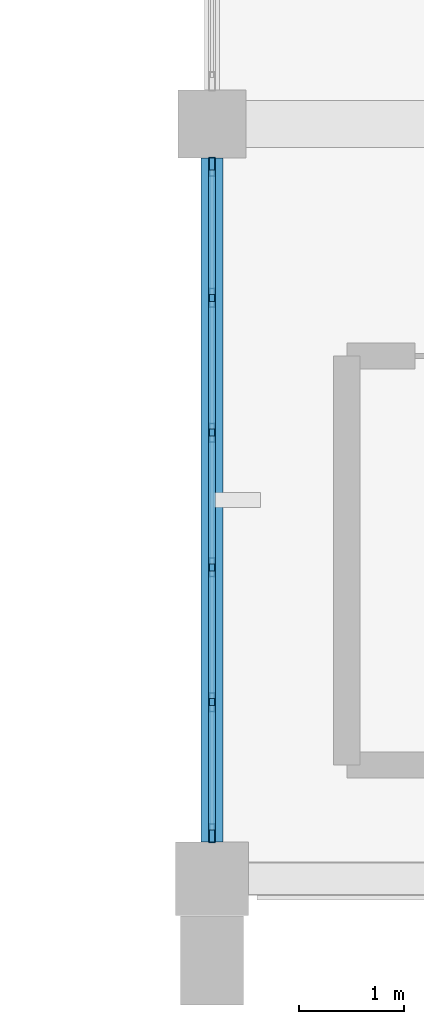
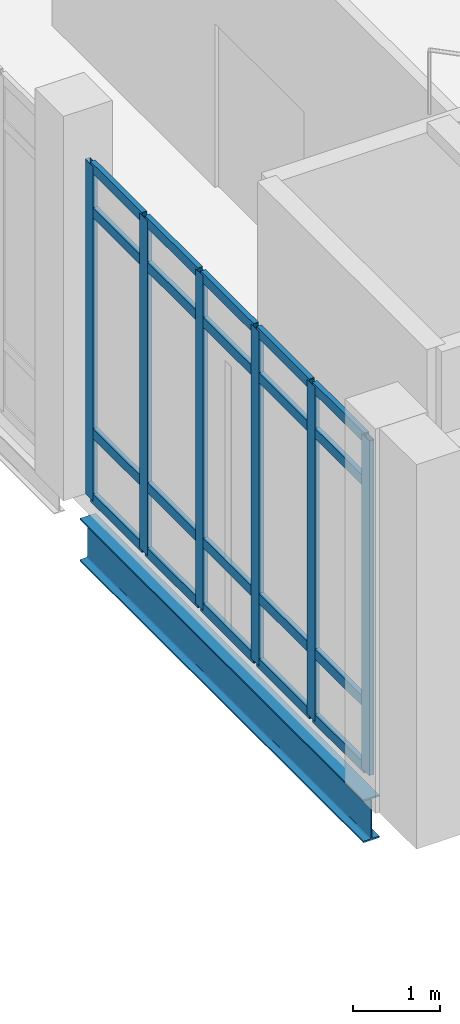
# One storey, part 26 of 110: 26 members, 1 beam, 1 element without a shape of its own.
"""IFC4 building model written with IfcOpenShell, lengths in metres."""

from ifc_helpers import new_model, si_unit, direction, frame, origin, origin_2d, place, context, subcontext, project, spatial, hollow_rectangle, i_section, extrude, material, material_profile, profile_set, type_object, element, aggregate, save


model = new_model("IFC4")

# Units and contexts
model_context = context("Model", 3, precision=1e-05, world=origin(), true_north=direction((0.0, 1.0)))
body_context = subcontext(model_context, "Body", "Model", "MODEL_VIEW")
ifc_project = project(units=[si_unit("LENGTHUNIT", "METRE"), si_unit("AREAUNIT", "SQUARE_METRE"), si_unit("VOLUMEUNIT", "CUBIC_METRE"), si_unit("PLANEANGLEUNIT", "RADIAN"), si_unit("MASSUNIT", "GRAM", prefix="KILO")], contexts=[model_context])

# Site, building, storey
site_placement = place(None, origin())
site = spatial("IfcSite", under=ifc_project, at=site_placement, CompositionType="ELEMENT")
building_placement = place(site_placement, origin())
building = spatial("IfcBuilding", under=site, at=building_placement, Name="Kalluvel Institute of Natural Sciences", CompositionType="ELEMENT")
storey_placement = place(building_placement, origin())
storey = spatial("IfcBuildingStorey", under=building, at=storey_placement, Name="L00", CompositionType="ELEMENT", Elevation=0.0)

# Beam
ifc_material_1 = material(Name="Steel E350 Grade 350", Category="steel")
ifc_material_profile_1 = material_profile(ifc_material_1, i_section(OverallWidth=0.2099609375, OverallDepth=0.60009765625, WebThickness=0.011962890625, FlangeThickness=0.020751953125, FilletRadius=0.02001953125, at=origin_2d()), Name="ISMB 600")
ifc_profile_set_1 = profile_set([ifc_material_profile_1], Name="Steel E350 Grade 350")
beam_type = type_object("IfcBeamType", Name="BM-ISMB600", PredefinedType="BEAM", material=ifc_profile_set_1)
beam_placement = place(storey_placement, frame((100.39990234375, 14.35009765625, -0.6201171875), z_axis=(0.0, 1.0, 0.0), x_axis=(-1.0, 0.0, 0.0)))
element("IfcBeam", 1, at=beam_placement, inside=storey, type_object=beam_type, Name="L00 girder GIR-L00-NS-X1004-Y140", PredefinedType="BEAM", context=body_context, shape_type="SweptSolid", body=[
    extrude(i_section(OverallWidth=0.2099609375, OverallDepth=0.60009765625, WebThickness=0.011962890625, FlangeThickness=0.020751953125, FilletRadius=0.02001953125, at=origin_2d()), origin(), (0.0, 0.0, 1.0), 6.52490234375),
])

# Curtain wall, members
ifc_material_2 = material(Name="Aluminium AW-6063 T6", Category="aluminium")
curtain_wall_type = type_object("IfcCurtainWallType", Name="CW-SPAV-45", PredefinedType="USERDEFINED", material=ifc_material_2)
curtain_wall_placement = place(storey_placement, origin())
curtain_wall = element("IfcCurtainWall", 2, at=curtain_wall_placement, inside=storey, type_object=curtain_wall_type, Name="L00 Gothic lancet curtain wall CWA-L00-X1004-Y144", ObjectType="UNITISED LANCET FACADE", PredefinedType="USERDEFINED")
ifc_material_profile_2 = material_profile(ifc_material_2, hollow_rectangle(XDim=0.06494140625, YDim=0.179931640625, WallThickness=0.00439453125, at=origin_2d()), Name="CWM 65x180")
ifc_profile_set_2 = profile_set([ifc_material_profile_2], Name="Aluminium AW-6063 T6")
member_type_1 = type_object("IfcMemberType", Name="CWM-65x180", PredefinedType="MULLION", material=ifc_profile_set_2)
member_1_placement = place(storey_placement, frame((100.39990234375, 14.4326171875, 0.0), z_axis=(0.0, 0.0, 1.0), x_axis=(-1.0, 0.0, 0.0)))
member_1 = element("IfcMember", 3, at=member_1_placement, type_object=member_type_1, Name="CW-10 mullion 1", PredefinedType="MULLION", context=body_context, shape_type="SweptSolid", body=[
    extrude(hollow_rectangle(XDim=0.06494140625, YDim=0.179931640625, WallThickness=0.00439453125, at=origin_2d()), origin(), (0.0, 0.0, 1.0), 4.699951171875),
])
member_2_placement = place(storey_placement, frame((100.39990234375, 15.68505859375, 0.0), z_axis=(0.0, 0.0, 1.0), x_axis=(-1.0, 0.0, 0.0)))
member_2 = element("IfcMember", 4, at=member_2_placement, type_object=member_type_1, Name="CW-10 mullion 2", PredefinedType="MULLION", context=body_context, shape_type="SweptSolid", body=[
    extrude(hollow_rectangle(XDim=0.06494140625, YDim=0.179931640625, WallThickness=0.00439453125, at=origin_2d()), origin(), (0.0, 0.0, 1.0), 4.699951171875),
])
member_3_placement = place(storey_placement, frame((100.39990234375, 16.969970703125, 0.0), z_axis=(0.0, 0.0, 1.0), x_axis=(-1.0, 0.0, 0.0)))
member_3 = element("IfcMember", 5, at=member_3_placement, type_object=member_type_1, Name="CW-10 mullion 3", PredefinedType="MULLION", context=body_context, shape_type="SweptSolid", body=[
    extrude(hollow_rectangle(XDim=0.06494140625, YDim=0.179931640625, WallThickness=0.00439453125, at=origin_2d()), origin(), (0.0, 0.0, 1.0), 4.699951171875),
])
member_4_placement = place(storey_placement, frame((100.39990234375, 18.2548828125, 0.0), z_axis=(0.0, 0.0, 1.0), x_axis=(-1.0, 0.0, 0.0)))
member_4 = element("IfcMember", 6, at=member_4_placement, type_object=member_type_1, Name="CW-10 mullion 4", PredefinedType="MULLION", context=body_context, shape_type="SweptSolid", body=[
    extrude(hollow_rectangle(XDim=0.06494140625, YDim=0.179931640625, WallThickness=0.00439453125, at=origin_2d()), origin(), (0.0, 0.0, 1.0), 4.699951171875),
])
member_5_placement = place(storey_placement, frame((100.39990234375, 19.5400390625, 0.0), z_axis=(0.0, 0.0, 1.0), x_axis=(-1.0, 0.0, 0.0)))
member_5 = element("IfcMember", 7, at=member_5_placement, type_object=member_type_1, Name="CW-10 mullion 5", PredefinedType="MULLION", context=body_context, shape_type="SweptSolid", body=[
    extrude(hollow_rectangle(XDim=0.06494140625, YDim=0.179931640625, WallThickness=0.00439453125, at=origin_2d()), origin(), (0.0, 0.0, 1.0), 4.699951171875),
])
member_6_placement = place(storey_placement, frame((100.39990234375, 20.79248046875, 0.0), z_axis=(0.0, 0.0, 1.0), x_axis=(-1.0, 0.0, 0.0)))
member_6 = element("IfcMember", 8, at=member_6_placement, type_object=member_type_1, Name="CW-10 mullion 6", PredefinedType="MULLION", context=body_context, shape_type="SweptSolid", body=[
    extrude(hollow_rectangle(XDim=0.06494140625, YDim=0.179931640625, WallThickness=0.00439453125, at=origin_2d()), origin(), (0.0, 0.0, 1.0), 4.699951171875),
])
ifc_material_profile_3 = material_profile(ifc_material_2, hollow_rectangle(XDim=0.06494140625, YDim=0.139892578125, WallThickness=0.00439453125, at=origin_2d()), Name="CWT 65x140")
ifc_profile_set_3 = profile_set([ifc_material_profile_3], Name="Aluminium AW-6063 T6")
member_type_2 = type_object("IfcMemberType", Name="CWT-65x140", PredefinedType="USERDEFINED", material=ifc_profile_set_3)
member_7_placement = place(storey_placement, frame((100.39990234375, 14.465087890625, 0.032470703125), z_axis=(0.0, 1.0, 0.0), x_axis=(-1.0, 0.0, 0.0)))
member_7 = element("IfcMember", 9, at=member_7_placement, type_object=member_type_2, Name="CW-10 transom 1.1", ObjectType="TRANSOM", PredefinedType="USERDEFINED", context=body_context, shape_type="SweptSolid", body=[
    extrude(hollow_rectangle(XDim=0.06494140625, YDim=0.139892578125, WallThickness=0.00439453125, at=origin_2d()), origin(), (0.0, 0.0, 1.0), 1.1875),
])
member_8_placement = place(storey_placement, frame((100.39990234375, 14.465087890625, 0.949951171875), z_axis=(0.0, 1.0, 0.0), x_axis=(-1.0, 0.0, 0.0)))
member_8 = element("IfcMember", 10, at=member_8_placement, type_object=member_type_2, Name="CW-10 transom 1.2", ObjectType="TRANSOM", PredefinedType="USERDEFINED", context=body_context, shape_type="SweptSolid", body=[
    extrude(hollow_rectangle(XDim=0.06494140625, YDim=0.139892578125, WallThickness=0.00439453125, at=origin_2d()), origin(), (0.0, 0.0, 1.0), 1.1875),
])
member_9_placement = place(storey_placement, frame((100.39990234375, 14.465087890625, 4.050048828125), z_axis=(0.0, 1.0, 0.0), x_axis=(-1.0, 0.0, 0.0)))
member_9 = element("IfcMember", 11, at=member_9_placement, type_object=member_type_2, Name="CW-10 transom 1.3", ObjectType="TRANSOM", PredefinedType="USERDEFINED", context=body_context, shape_type="SweptSolid", body=[
    extrude(hollow_rectangle(XDim=0.06494140625, YDim=0.139892578125, WallThickness=0.00439453125, at=origin_2d()), origin(), (0.0, 0.0, 1.0), 1.1875),
])
member_10_placement = place(storey_placement, frame((100.39990234375, 14.465087890625, 4.66748046875), z_axis=(0.0, 1.0, 0.0), x_axis=(-1.0, 0.0, 0.0)))
member_10 = element("IfcMember", 12, at=member_10_placement, type_object=member_type_2, Name="CW-10 transom 1.4", ObjectType="TRANSOM", PredefinedType="USERDEFINED", context=body_context, shape_type="SweptSolid", body=[
    extrude(hollow_rectangle(XDim=0.06494140625, YDim=0.139892578125, WallThickness=0.00439453125, at=origin_2d()), origin(), (0.0, 0.0, 1.0), 1.1875),
])
member_11_placement = place(storey_placement, frame((100.39990234375, 15.717529296875, 0.032470703125), z_axis=(0.0, 1.0, 0.0), x_axis=(-1.0, 0.0, 0.0)))
member_11 = element("IfcMember", 13, at=member_11_placement, type_object=member_type_2, Name="CW-10 transom 2.1", ObjectType="TRANSOM", PredefinedType="USERDEFINED", context=body_context, shape_type="SweptSolid", body=[
    extrude(hollow_rectangle(XDim=0.06494140625, YDim=0.139892578125, WallThickness=0.00439453125, at=origin_2d()), origin(), (0.0, 0.0, 1.0), 1.219970703125),
])
member_12_placement = place(storey_placement, frame((100.39990234375, 15.717529296875, 0.949951171875), z_axis=(0.0, 1.0, 0.0), x_axis=(-1.0, 0.0, 0.0)))
member_12 = element("IfcMember", 14, at=member_12_placement, type_object=member_type_2, Name="CW-10 transom 2.2", ObjectType="TRANSOM", PredefinedType="USERDEFINED", context=body_context, shape_type="SweptSolid", body=[
    extrude(hollow_rectangle(XDim=0.06494140625, YDim=0.139892578125, WallThickness=0.00439453125, at=origin_2d()), origin(), (0.0, 0.0, 1.0), 1.219970703125),
])
member_13_placement = place(storey_placement, frame((100.39990234375, 15.717529296875, 4.050048828125), z_axis=(0.0, 1.0, 0.0), x_axis=(-1.0, 0.0, 0.0)))
member_13 = element("IfcMember", 15, at=member_13_placement, type_object=member_type_2, Name="CW-10 transom 2.3", ObjectType="TRANSOM", PredefinedType="USERDEFINED", context=body_context, shape_type="SweptSolid", body=[
    extrude(hollow_rectangle(XDim=0.06494140625, YDim=0.139892578125, WallThickness=0.00439453125, at=origin_2d()), origin(), (0.0, 0.0, 1.0), 1.219970703125),
])
member_14_placement = place(storey_placement, frame((100.39990234375, 15.717529296875, 4.66748046875), z_axis=(0.0, 1.0, 0.0), x_axis=(-1.0, 0.0, 0.0)))
member_14 = element("IfcMember", 16, at=member_14_placement, type_object=member_type_2, Name="CW-10 transom 2.4", ObjectType="TRANSOM", PredefinedType="USERDEFINED", context=body_context, shape_type="SweptSolid", body=[
    extrude(hollow_rectangle(XDim=0.06494140625, YDim=0.139892578125, WallThickness=0.00439453125, at=origin_2d()), origin(), (0.0, 0.0, 1.0), 1.219970703125),
])
member_15_placement = place(storey_placement, frame((100.39990234375, 17.00244140625, 0.032470703125), z_axis=(0.0, 1.0, 0.0), x_axis=(-1.0, 0.0, 0.0)))
member_15 = element("IfcMember", 17, at=member_15_placement, type_object=member_type_2, Name="CW-10 transom 3.1", ObjectType="TRANSOM", PredefinedType="USERDEFINED", context=body_context, shape_type="SweptSolid", body=[
    extrude(hollow_rectangle(XDim=0.06494140625, YDim=0.139892578125, WallThickness=0.00439453125, at=origin_2d()), origin(), (0.0, 0.0, 1.0), 1.219970703125),
])
member_16_placement = place(storey_placement, frame((100.39990234375, 17.00244140625, 0.949951171875), z_axis=(0.0, 1.0, 0.0), x_axis=(-1.0, 0.0, 0.0)))
member_16 = element("IfcMember", 18, at=member_16_placement, type_object=member_type_2, Name="CW-10 transom 3.2", ObjectType="TRANSOM", PredefinedType="USERDEFINED", context=body_context, shape_type="SweptSolid", body=[
    extrude(hollow_rectangle(XDim=0.06494140625, YDim=0.139892578125, WallThickness=0.00439453125, at=origin_2d()), origin(), (0.0, 0.0, 1.0), 1.219970703125),
])
member_17_placement = place(storey_placement, frame((100.39990234375, 17.00244140625, 4.050048828125), z_axis=(0.0, 1.0, 0.0), x_axis=(-1.0, 0.0, 0.0)))
member_17 = element("IfcMember", 19, at=member_17_placement, type_object=member_type_2, Name="CW-10 transom 3.3", ObjectType="TRANSOM", PredefinedType="USERDEFINED", context=body_context, shape_type="SweptSolid", body=[
    extrude(hollow_rectangle(XDim=0.06494140625, YDim=0.139892578125, WallThickness=0.00439453125, at=origin_2d()), origin(), (0.0, 0.0, 1.0), 1.219970703125),
])
member_18_placement = place(storey_placement, frame((100.39990234375, 17.00244140625, 4.66748046875), z_axis=(0.0, 1.0, 0.0), x_axis=(-1.0, 0.0, 0.0)))
member_18 = element("IfcMember", 20, at=member_18_placement, type_object=member_type_2, Name="CW-10 transom 3.4", ObjectType="TRANSOM", PredefinedType="USERDEFINED", context=body_context, shape_type="SweptSolid", body=[
    extrude(hollow_rectangle(XDim=0.06494140625, YDim=0.139892578125, WallThickness=0.00439453125, at=origin_2d()), origin(), (0.0, 0.0, 1.0), 1.219970703125),
])
member_19_placement = place(storey_placement, frame((100.39990234375, 18.28759765625, 0.032470703125), z_axis=(0.0, 1.0, 0.0), x_axis=(-1.0, 0.0, 0.0)))
member_19 = element("IfcMember", 21, at=member_19_placement, type_object=member_type_2, Name="CW-10 transom 4.1", ObjectType="TRANSOM", PredefinedType="USERDEFINED", context=body_context, shape_type="SweptSolid", body=[
    extrude(hollow_rectangle(XDim=0.06494140625, YDim=0.139892578125, WallThickness=0.00439453125, at=origin_2d()), origin(), (0.0, 0.0, 1.0), 1.219970703125),
])
member_20_placement = place(storey_placement, frame((100.39990234375, 18.28759765625, 0.949951171875), z_axis=(0.0, 1.0, 0.0), x_axis=(-1.0, 0.0, 0.0)))
member_20 = element("IfcMember", 22, at=member_20_placement, type_object=member_type_2, Name="CW-10 transom 4.2", ObjectType="TRANSOM", PredefinedType="USERDEFINED", context=body_context, shape_type="SweptSolid", body=[
    extrude(hollow_rectangle(XDim=0.06494140625, YDim=0.139892578125, WallThickness=0.00439453125, at=origin_2d()), origin(), (0.0, 0.0, 1.0), 1.219970703125),
])
member_21_placement = place(storey_placement, frame((100.39990234375, 18.28759765625, 4.050048828125), z_axis=(0.0, 1.0, 0.0), x_axis=(-1.0, 0.0, 0.0)))
member_21 = element("IfcMember", 23, at=member_21_placement, type_object=member_type_2, Name="CW-10 transom 4.3", ObjectType="TRANSOM", PredefinedType="USERDEFINED", context=body_context, shape_type="SweptSolid", body=[
    extrude(hollow_rectangle(XDim=0.06494140625, YDim=0.139892578125, WallThickness=0.00439453125, at=origin_2d()), origin(), (0.0, 0.0, 1.0), 1.219970703125),
])
member_22_placement = place(storey_placement, frame((100.39990234375, 18.28759765625, 4.66748046875), z_axis=(0.0, 1.0, 0.0), x_axis=(-1.0, 0.0, 0.0)))
member_22 = element("IfcMember", 24, at=member_22_placement, type_object=member_type_2, Name="CW-10 transom 4.4", ObjectType="TRANSOM", PredefinedType="USERDEFINED", context=body_context, shape_type="SweptSolid", body=[
    extrude(hollow_rectangle(XDim=0.06494140625, YDim=0.139892578125, WallThickness=0.00439453125, at=origin_2d()), origin(), (0.0, 0.0, 1.0), 1.219970703125),
])
member_23_placement = place(storey_placement, frame((100.39990234375, 19.572509765625, 0.032470703125), z_axis=(0.0, 1.0, 0.0), x_axis=(-1.0, 0.0, 0.0)))
member_23 = element("IfcMember", 25, at=member_23_placement, type_object=member_type_2, Name="CW-10 transom 5.1", ObjectType="TRANSOM", PredefinedType="USERDEFINED", context=body_context, shape_type="SweptSolid", body=[
    extrude(hollow_rectangle(XDim=0.06494140625, YDim=0.139892578125, WallThickness=0.00439453125, at=origin_2d()), origin(), (0.0, 0.0, 1.0), 1.1875),
])
member_24_placement = place(storey_placement, frame((100.39990234375, 19.572509765625, 0.949951171875), z_axis=(0.0, 1.0, 0.0), x_axis=(-1.0, 0.0, 0.0)))
member_24 = element("IfcMember", 26, at=member_24_placement, type_object=member_type_2, Name="CW-10 transom 5.2", ObjectType="TRANSOM", PredefinedType="USERDEFINED", context=body_context, shape_type="SweptSolid", body=[
    extrude(hollow_rectangle(XDim=0.06494140625, YDim=0.139892578125, WallThickness=0.00439453125, at=origin_2d()), origin(), (0.0, 0.0, 1.0), 1.1875),
])
member_25_placement = place(storey_placement, frame((100.39990234375, 19.572509765625, 4.050048828125), z_axis=(0.0, 1.0, 0.0), x_axis=(-1.0, 0.0, 0.0)))
member_25 = element("IfcMember", 27, at=member_25_placement, type_object=member_type_2, Name="CW-10 transom 5.3", ObjectType="TRANSOM", PredefinedType="USERDEFINED", context=body_context, shape_type="SweptSolid", body=[
    extrude(hollow_rectangle(XDim=0.06494140625, YDim=0.139892578125, WallThickness=0.00439453125, at=origin_2d()), origin(), (0.0, 0.0, 1.0), 1.1875),
])
member_26_placement = place(storey_placement, frame((100.39990234375, 19.572509765625, 4.66748046875), z_axis=(0.0, 1.0, 0.0), x_axis=(-1.0, 0.0, 0.0)))
member_26 = element("IfcMember", 28, at=member_26_placement, type_object=member_type_2, Name="CW-10 transom 5.4", ObjectType="TRANSOM", PredefinedType="USERDEFINED", context=body_context, shape_type="SweptSolid", body=[
    extrude(hollow_rectangle(XDim=0.06494140625, YDim=0.139892578125, WallThickness=0.00439453125, at=origin_2d()), origin(), (0.0, 0.0, 1.0), 1.1875),
])
aggregate(curtain_wall, [member_1, member_2, member_3, member_4, member_5, member_6, member_7, member_8, member_9, member_10, member_11, member_12, member_13, member_14, member_15, member_16, member_17, member_18, member_19, member_20, member_21, member_22, member_23, member_24, member_25, member_26])

save(model, "model.ifc")
